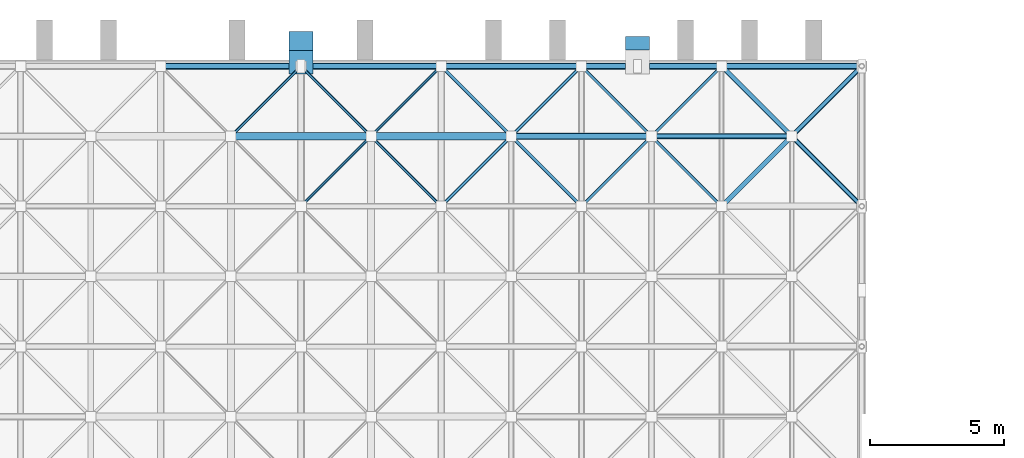
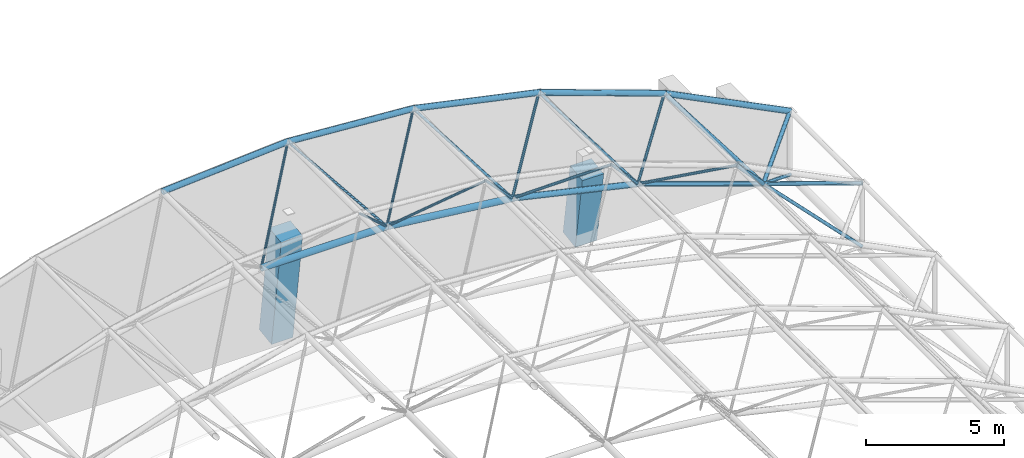
# One storey, part 29 of 100: 30 members.
"""IFC4 building model written with IfcOpenShell, lengths in metres."""

from ifc_helpers import new_model, si_unit, direction, frame, origin, origin_2d, place, context, subcontext, project, spatial, rectangle, hollow_circle, extrude, material, material_profile, profile_set, type_object, element, save


model = new_model("IFC4")

# Units and contexts
model_context = context("Model", 3, precision=1e-05, world=origin(), true_north=direction((0.0, 1.0)))
body_context = subcontext(model_context, "Body", "Model", "MODEL_VIEW")
ifc_project = project(units=[si_unit("LENGTHUNIT", "METRE"), si_unit("AREAUNIT", "SQUARE_METRE"), si_unit("VOLUMEUNIT", "CUBIC_METRE"), si_unit("PLANEANGLEUNIT", "RADIAN"), si_unit("MASSUNIT", "GRAM", prefix="KILO")], contexts=[model_context])

# Site, building, storey
site_placement = place(None, origin())
site = spatial("IfcSite", under=ifc_project, at=site_placement, CompositionType="ELEMENT")
building_placement = place(site_placement, origin())
building = spatial("IfcBuilding", under=site, at=building_placement, Name="Kiln Court Media Centre", CompositionType="ELEMENT")
storey_placement = place(building_placement, frame((0.0, 0.0, 15.0)))
storey = spatial("IfcBuildingStorey", under=building, at=storey_placement, Name="L03", CompositionType="ELEMENT", Elevation=15.0)

# Members
ifc_material_1 = material(Name="Concrete C40/50", Category="concrete")
ifc_material_profile_1 = material_profile(ifc_material_1, rectangle(XDim=0.89990234375, YDim=0.89990234375, at=origin_2d()), Name="RC 900x900")
ifc_profile_set_1 = profile_set([ifc_material_profile_1], Name="Concrete C40/50")
member_type_1 = type_object("IfcMemberType", Name="Concrete C40/50 raked column 900x900", PredefinedType="STRUT", material=ifc_profile_set_1)
member_1_placement = place(storey_placement, frame((79.800048828125, 68.049560546875, 0.0), z_axis=(0.0, -0.141867744513, 0.989885621204), x_axis=(1.0, 0.0, 0.0)))
element("IfcMember", 1, at=member_1_placement, inside=storey, type_object=member_type_1, Name="L03-M-1001", PredefinedType="STRUT", context=body_context, shape_type="SweptSolid", body=[
    extrude(rectangle(XDim=0.89990234375, YDim=0.89990234375, at=origin_2d()), origin(), (0.0, 0.0, 1.0), 4.976806640625),
])
member_2_placement = place(storey_placement, frame((92.39990234375, 67.86279296875, 0.0), z_axis=(0.0, -0.153990121436, 0.988072387277), x_axis=(1.0, 0.0, 0.0)))
element("IfcMember", 2, at=member_2_placement, inside=storey, type_object=member_type_1, Name="L03-M-1002", PredefinedType="STRUT", context=body_context, shape_type="SweptSolid", body=[
    extrude(rectangle(XDim=0.89990234375, YDim=0.89990234375, at=origin_2d()), origin(), (0.0, 0.0, 1.0), 3.29296875),
])
ifc_material_2 = material(Name="Steel ASTM A500 Gr C", Category="steel")
ifc_material_profile_2 = material_profile(ifc_material_2, hollow_circle(Radius=0.05078125, WallThickness=0.0048828125, at=origin_2d()), Name="CHS 101.6x5.0")
ifc_profile_set_2 = profile_set([ifc_material_profile_2], Name="Steel ASTM A500 Gr C")
member_type_2 = type_object("IfcMemberType", Name="Steel ASTM A500 Gr C CHS 101.6x5.0 space frame brace", PredefinedType="BRACE", material=ifc_profile_set_2)
for number, where, z_axis, x_axis, name in (
    (3, (77.175048828125, 64.574951171875, 5.926513671875), (0.544662450541, 0.544662450541, 0.637719083878), (-0.707106781187, 0.707106781187, 0.0), "V1 roof diagonal 4-8 space frame brace"),
    (4, (82.425048828125, 64.574951171875, 5.926513671875), (-0.544662450541, -0.544662450541, 0.637719083878), (0.707106781187, -0.707106781187, 0.0), "V1 roof diagonal 5-8 space frame brace"),
):
    element("IfcMember", number, at=place(storey_placement, frame(where, z_axis=z_axis, x_axis=x_axis)), inside=storey, type_object=member_type_2, Name=name, PredefinedType="BRACE", context=body_context, shape_type="SweptSolid", body=[
        extrude(hollow_circle(Radius=0.05078125, WallThickness=0.0048828125, at=origin_2d()), origin(), (0.0, 0.0, 1.0), 4.819580078125),
    ])
member_3_placement = place(storey_placement, frame((82.425048828125, 64.574951171875, 5.926513671875), z_axis=(0.571963592053, -0.571963592053, 0.587975593653), x_axis=(0.707106781187, 0.707106781187, 0.0)))
element("IfcMember", 5, at=member_3_placement, inside=storey, type_object=member_type_2, Name="V1 roof diagonal 5-8 space frame brace", PredefinedType="BRACE", context=body_context, shape_type="SweptSolid", body=[
    extrude(hollow_circle(Radius=0.05078125, WallThickness=0.0048828125, at=origin_2d()), origin(), (0.0, 0.0, 1.0), 4.58935546875),
])
member_4_placement = place(storey_placement, frame((82.425048828125, 64.574951171875, 5.926513671875), z_axis=(-0.544662450541, 0.544662450541, 0.637719083878), x_axis=(-0.707106781187, -0.707106781187, 0.0)))
element("IfcMember", 6, at=member_4_placement, inside=storey, type_object=member_type_2, Name="V1 roof diagonal 5-8 space frame brace", PredefinedType="BRACE", context=body_context, shape_type="SweptSolid", body=[
    extrude(hollow_circle(Radius=0.05078125, WallThickness=0.0048828125, at=origin_2d()), origin(), (0.0, 0.0, 1.0), 4.819580078125),
])
member_5_placement = place(storey_placement, frame((82.425048828125, 64.574951171875, 5.926513671875), z_axis=(0.571963592053, 0.571963592053, 0.587975593653), x_axis=(-0.707106781187, 0.707106781187, 0.0)))
element("IfcMember", 7, at=member_5_placement, inside=storey, type_object=member_type_2, Name="V1 roof diagonal 5-8 space frame brace", PredefinedType="BRACE", context=body_context, shape_type="SweptSolid", body=[
    extrude(hollow_circle(Radius=0.05078125, WallThickness=0.0048828125, at=origin_2d()), origin(), (0.0, 0.0, 1.0), 4.58935546875),
])
ifc_material_3 = material(Name="Steel ASTM A500 Gr C", Category="steel")
ifc_material_profile_3 = material_profile(ifc_material_3, hollow_circle(Radius=0.05712890625, WallThickness=0.0048828125, at=origin_2d()), Name="CHS 114.3x5.0")
ifc_profile_set_3 = profile_set([ifc_material_profile_3], Name="Steel ASTM A500 Gr C")
member_type_3 = type_object("IfcMemberType", Name="Steel ASTM A500 Gr C CHS 114.3x5.0 space frame brace", PredefinedType="BRACE", material=ifc_profile_set_3)
member_6_placement = place(storey_placement, frame((87.675048828125, 64.574951171875, 5.333984375), z_axis=(-0.529121679325, -0.529121679325, 0.663370557785), x_axis=(0.707106781187, -0.707106781187, 0.0)))
element("IfcMember", 8, at=member_6_placement, inside=storey, type_object=member_type_3, Name="V1 roof diagonal 6-8 space frame brace", PredefinedType="BRACE", context=body_context, shape_type="SweptSolid", body=[
    extrude(hollow_circle(Radius=0.05712890625, WallThickness=0.0048828125, at=origin_2d()), origin(), (0.0, 0.0, 1.0), 4.9609375),
])
member_7_placement = place(storey_placement, frame((87.675048828125, 64.574951171875, 5.333984375), z_axis=(0.61074803366, -0.61074803366, 0.503958012894), x_axis=(0.707106781187, 0.707106781187, 0.0)))
element("IfcMember", 9, at=member_7_placement, inside=storey, type_object=member_type_3, Name="V1 roof diagonal 6-8 space frame brace", PredefinedType="BRACE", context=body_context, shape_type="SweptSolid", body=[
    extrude(hollow_circle(Radius=0.05712890625, WallThickness=0.0048828125, at=origin_2d()), origin(), (0.0, 0.0, 1.0), 4.298095703125),
])
member_8_placement = place(storey_placement, frame((87.675048828125, 64.574951171875, 5.333984375), z_axis=(-0.529121679325, 0.529121679325, 0.663370557785), x_axis=(-0.707106781187, -0.707106781187, 0.0)))
element("IfcMember", 10, at=member_8_placement, inside=storey, type_object=member_type_3, Name="V1 roof diagonal 6-8 space frame brace", PredefinedType="BRACE", context=body_context, shape_type="SweptSolid", body=[
    extrude(hollow_circle(Radius=0.05712890625, WallThickness=0.0048828125, at=origin_2d()), origin(), (0.0, 0.0, 1.0), 4.9609375),
])
member_9_placement = place(storey_placement, frame((87.675048828125, 64.574951171875, 5.333984375), z_axis=(0.61074803366, 0.61074803366, 0.503958012894), x_axis=(-0.707106781187, 0.707106781187, 0.0)))
element("IfcMember", 11, at=member_9_placement, inside=storey, type_object=member_type_3, Name="V1 roof diagonal 6-8 space frame brace", PredefinedType="BRACE", context=body_context, shape_type="SweptSolid", body=[
    extrude(hollow_circle(Radius=0.05712890625, WallThickness=0.0048828125, at=origin_2d()), origin(), (0.0, 0.0, 1.0), 4.298095703125),
])
member_10_placement = place(storey_placement, frame((92.925048828125, 64.574951171875, 4.133544921875), z_axis=(-0.523804264708, -0.523804264708, 0.671757534046), x_axis=(0.707106781187, -0.707106781187, 0.0)))
element("IfcMember", 12, at=member_10_placement, inside=storey, type_object=member_type_3, Name="V1 roof diagonal 7-8 space frame brace", PredefinedType="BRACE", context=body_context, shape_type="SweptSolid", body=[
    extrude(hollow_circle(Radius=0.05712890625, WallThickness=0.0048828125, at=origin_2d()), origin(), (0.0, 0.0, 1.0), 5.011474609375),
])
member_11_placement = place(storey_placement, frame((92.925048828125, 64.574951171875, 4.133544921875), z_axis=(0.656133377529, -0.656133377529, 0.37279750775), x_axis=(0.707106781187, 0.707106781187, 0.0)))
element("IfcMember", 13, at=member_11_placement, inside=storey, type_object=member_type_3, Name="V1 roof diagonal 7-8 space frame brace", PredefinedType="BRACE", context=body_context, shape_type="SweptSolid", body=[
    extrude(hollow_circle(Radius=0.05712890625, WallThickness=0.0048828125, at=origin_2d()), origin(), (0.0, 0.0, 1.0), 4.000732421875),
])
member_12_placement = place(storey_placement, frame((92.925048828125, 64.574951171875, 4.133544921875), z_axis=(-0.523804264708, 0.523804264708, 0.671757534046), x_axis=(-0.707106781187, -0.707106781187, 0.0)))
element("IfcMember", 14, at=member_12_placement, inside=storey, type_object=member_type_3, Name="V1 roof diagonal 7-8 space frame brace", PredefinedType="BRACE", context=body_context, shape_type="SweptSolid", body=[
    extrude(hollow_circle(Radius=0.05712890625, WallThickness=0.0048828125, at=origin_2d()), origin(), (0.0, 0.0, 1.0), 5.011474609375),
])
member_13_placement = place(storey_placement, frame((92.925048828125, 64.574951171875, 4.133544921875), z_axis=(0.656133377529, 0.656133377529, 0.37279750775), x_axis=(-0.707106781187, 0.707106781187, 0.0)))
element("IfcMember", 15, at=member_13_placement, inside=storey, type_object=member_type_3, Name="V1 roof diagonal 7-8 space frame brace", PredefinedType="BRACE", context=body_context, shape_type="SweptSolid", body=[
    extrude(hollow_circle(Radius=0.05712890625, WallThickness=0.0048828125, at=origin_2d()), origin(), (0.0, 0.0, 1.0), 4.000732421875),
])
ifc_material_4 = material(Name="Steel ASTM A500 Gr C", Category="steel")
ifc_material_profile_4 = material_profile(ifc_material_4, hollow_circle(Radius=0.06982421875, WallThickness=0.0048828125, at=origin_2d()), Name="CHS 139.7x5.0")
ifc_profile_set_4 = profile_set([ifc_material_profile_4], Name="Steel ASTM A500 Gr C")
member_type_4 = type_object("IfcMemberType", Name="Steel ASTM A500 Gr C CHS 139.7x5.0 space frame brace", PredefinedType="BRACE", material=ifc_profile_set_4)
for number, where, z_axis, x_axis, name in (
    (16, (100.800048828125, 61.949951171875, 0.18994140625), (-0.614895163376, 0.614895163376, 0.493769051394), (-0.707106781187, -0.707106781187, 0.0), "V1 roof bearing tie last 8 space frame brace"),
    (17, (100.800048828125, 67.199951171875, 0.18994140625), (-0.614895163376, -0.614895163376, 0.493769051394), (0.707106781187, -0.707106781187, 0.0), "V1 roof bearing tie last 9 space frame brace"),
):
    element("IfcMember", number, at=place(storey_placement, frame(where, z_axis=z_axis, x_axis=x_axis)), inside=storey, type_object=member_type_4, Name=name, PredefinedType="BRACE", context=body_context, shape_type="SweptSolid", body=[
        extrude(hollow_circle(Radius=0.06982421875, WallThickness=0.0048828125, at=origin_2d()), origin(), (0.0, 0.0, 1.0), 4.26904296875),
    ])
ifc_material_5 = material(Name="Steel ASTM A500 Gr C", Category="steel")
ifc_material_profile_5 = material_profile(ifc_material_5, hollow_circle(Radius=0.084228515625, WallThickness=0.00634765625, at=origin_2d()), Name="CHS 168.3x6.3")
ifc_profile_set_5 = profile_set([ifc_material_profile_5], Name="Steel ASTM A500 Gr C")
member_type_5 = type_object("IfcMemberType", Name="Steel ASTM A500 Gr C CHS 168.3x6.3 space frame brace", PredefinedType="BRACE", material=ifc_profile_set_5)
member_14_placement = place(storey_placement, frame((98.175048828125, 64.574951171875, 2.2978515625), z_axis=(-0.526569761857, -0.526569761857, 0.667419337295), x_axis=(0.707106781187, -0.707106781187, 0.0)))
element("IfcMember", 18, at=member_14_placement, inside=storey, type_object=member_type_5, Name="V1 roof diagonal 8-8 space frame brace", PredefinedType="BRACE", context=body_context, shape_type="SweptSolid", body=[
    extrude(hollow_circle(Radius=0.084228515625, WallThickness=0.00634765625, at=origin_2d()), origin(), (0.0, 0.0, 1.0), 4.985107421875),
])
member_15_placement = place(storey_placement, frame((98.175048828125, 64.574951171875, 2.2978515625), z_axis=(0.694788256549, -0.694788256549, 0.185845519516), x_axis=(0.707106781187, 0.707106781187, 0.0)))
element("IfcMember", 19, at=member_15_placement, inside=storey, type_object=member_type_5, Name="V1 roof diagonal 8-8 space frame brace", PredefinedType="BRACE", context=body_context, shape_type="SweptSolid", body=[
    extrude(hollow_circle(Radius=0.084228515625, WallThickness=0.00634765625, at=origin_2d()), origin(), (0.0, 0.0, 1.0), 3.778076171875),
])
member_16_placement = place(storey_placement, frame((98.175048828125, 64.574951171875, 2.2978515625), z_axis=(-0.526569761857, 0.526569761857, 0.667419337295), x_axis=(-0.707106781187, -0.707106781187, 0.0)))
element("IfcMember", 20, at=member_16_placement, inside=storey, type_object=member_type_5, Name="V1 roof diagonal 8-8 space frame brace", PredefinedType="BRACE", context=body_context, shape_type="SweptSolid", body=[
    extrude(hollow_circle(Radius=0.084228515625, WallThickness=0.00634765625, at=origin_2d()), origin(), (0.0, 0.0, 1.0), 4.985107421875),
])
member_17_placement = place(storey_placement, frame((98.175048828125, 64.574951171875, 2.2978515625), z_axis=(0.694788256549, 0.694788256549, 0.185845519516), x_axis=(-0.707106781187, 0.707106781187, 0.0)))
element("IfcMember", 21, at=member_17_placement, inside=storey, type_object=member_type_5, Name="V1 roof diagonal 8-8 space frame brace", PredefinedType="BRACE", context=body_context, shape_type="SweptSolid", body=[
    extrude(hollow_circle(Radius=0.084228515625, WallThickness=0.00634765625, at=origin_2d()), origin(), (0.0, 0.0, 1.0), 3.778076171875),
])
ifc_material_6 = material(Name="Steel ASTM A500 Gr C", Category="steel")
ifc_material_profile_6 = material_profile(ifc_material_6, hollow_circle(Radius=0.096923828125, WallThickness=0.008056640625, at=origin_2d()), Name="CHS 193.7x8.0")
ifc_profile_set_6 = profile_set([ifc_material_profile_6], Name="Steel ASTM A500 Gr C")
member_type_6 = type_object("IfcMemberType", Name="Steel ASTM A500 Gr C CHS 193.7x8.0 space frame chord", PredefinedType="CHORD", material=ifc_profile_set_6)
member_18_placement = place(storey_placement, frame((92.925048828125, 64.574951171875, 4.133544921875), z_axis=(0.943959597571, 0.0, -0.330061021863), x_axis=(0.0, 1.0, 0.0)))
element("IfcMember", 22, at=member_18_placement, inside=storey, type_object=member_type_6, Name="V1 roof bottom chord across line 8 space frame chord", PredefinedType="CHORD", context=body_context, shape_type="SweptSolid", body=[
    extrude(hollow_circle(Radius=0.096923828125, WallThickness=0.008056640625, at=origin_2d()), origin(), (0.0, 0.0, 1.0), 5.561767578125),
])
ifc_material_7 = material(Name="Steel ASTM A500 Gr C", Category="steel")
ifc_material_profile_7 = material_profile(ifc_material_7, hollow_circle(Radius=0.122314453125, WallThickness=0.010009765625, at=origin_2d()), Name="CHS 244.5x10.0")
ifc_profile_set_7 = profile_set([ifc_material_profile_7], Name="Steel ASTM A500 Gr C")
member_type_7 = type_object("IfcMemberType", Name="Steel ASTM A500 Gr C CHS 244.5x10.0 space frame chord", PredefinedType="CHORD", material=ifc_profile_set_7)
for number, where, z_axis, x_axis, name in (
    (23, (74.550048828125, 67.199951171875, 8.625), (0.997458699831, 0.0, 0.071247049988), (0.0, 1.0, 0.0), "V1 roof top chord across line 9 space frame chord"),
    (24, (79.800048828125, 67.199951171875, 9.0), (0.997458699831, 0.0, -0.071247049988), (0.0, 1.0, 0.0), "V1 roof top chord across line 9 space frame chord"),
):
    element("IfcMember", number, at=place(storey_placement, frame(where, z_axis=z_axis, x_axis=x_axis)), inside=storey, type_object=member_type_7, Name=name, PredefinedType="CHORD", context=body_context, shape_type="SweptSolid", body=[
        extrude(hollow_circle(Radius=0.122314453125, WallThickness=0.010009765625, at=origin_2d()), origin(), (0.0, 0.0, 1.0), 5.263427734375),
    ])
member_19_placement = place(storey_placement, frame((85.050048828125, 67.199951171875, 8.625), z_axis=(0.977802414077, 0.0, -0.209529088731), x_axis=(0.0, 1.0, 0.0)))
element("IfcMember", 25, at=member_19_placement, inside=storey, type_object=member_type_7, Name="V1 roof top chord across line 9 space frame chord", PredefinedType="CHORD", context=body_context, shape_type="SweptSolid", body=[
    extrude(hollow_circle(Radius=0.122314453125, WallThickness=0.010009765625, at=origin_2d()), origin(), (0.0, 0.0, 1.0), 5.369140625),
])
member_20_placement = place(storey_placement, frame((90.300048828125, 67.199951171875, 7.5), z_axis=(0.941741911595, 0.0, -0.336336396998), x_axis=(0.0, 1.0, 0.0)))
element("IfcMember", 26, at=member_20_placement, inside=storey, type_object=member_type_7, Name="V1 roof top chord across line 9 space frame chord", PredefinedType="CHORD", context=body_context, shape_type="SweptSolid", body=[
    extrude(hollow_circle(Radius=0.122314453125, WallThickness=0.010009765625, at=origin_2d()), origin(), (0.0, 0.0, 1.0), 5.57470703125),
])
member_21_placement = place(storey_placement, frame((95.550048828125, 67.199951171875, 5.625), z_axis=(0.894427191, 0.0, -0.4472135955), x_axis=(0.0, 1.0, 0.0)))
element("IfcMember", 27, at=member_21_placement, inside=storey, type_object=member_type_7, Name="V1 roof top chord across line 9 space frame chord", PredefinedType="CHORD", context=body_context, shape_type="SweptSolid", body=[
    extrude(hollow_circle(Radius=0.122314453125, WallThickness=0.010009765625, at=origin_2d()), origin(), (0.0, 0.0, 1.0), 5.86962890625),
])
member_22_placement = place(storey_placement, frame((87.675048828125, 64.574951171875, 5.333984375), z_axis=(0.97484077825, 0.0, -0.22290234871), x_axis=(0.0, 1.0, 0.0)))
element("IfcMember", 28, at=member_22_placement, inside=storey, type_object=member_type_7, Name="V1 roof bottom chord across line 8 space frame chord", PredefinedType="CHORD", context=body_context, shape_type="SweptSolid", body=[
    extrude(hollow_circle(Radius=0.122314453125, WallThickness=0.010009765625, at=origin_2d()), origin(), (0.0, 0.0, 1.0), 5.385498046875),
])
ifc_material_8 = material(Name="Steel ASTM A500 Gr C", Category="steel")
ifc_material_profile_8 = material_profile(ifc_material_8, hollow_circle(Radius=0.136474609375, WallThickness=0.010009765625, at=origin_2d()), Name="CHS 273.0x10.0")
ifc_profile_set_8 = profile_set([ifc_material_profile_8], Name="Steel ASTM A500 Gr C")
member_type_8 = type_object("IfcMemberType", Name="Steel ASTM A500 Gr C CHS 273.0x10.0 space frame chord", PredefinedType="CHORD", material=ifc_profile_set_8)
member_23_placement = place(storey_placement, frame((77.175048828125, 64.574951171875, 5.926513671875), z_axis=(1.0, 0.0, 0.0), x_axis=(0.0, 1.0, 0.0)))
element("IfcMember", 29, at=member_23_placement, inside=storey, type_object=member_type_8, Name="V1 roof bottom chord across line 8 space frame chord", PredefinedType="CHORD", context=body_context, shape_type="SweptSolid", body=[
    extrude(hollow_circle(Radius=0.136474609375, WallThickness=0.010009765625, at=origin_2d()), origin(), (0.0, 0.0, 1.0), 5.25),
])
member_24_placement = place(storey_placement, frame((82.425048828125, 64.574951171875, 5.926513671875), z_axis=(0.993691210277, 0.0, -0.112150696026), x_axis=(0.0, 1.0, 0.0)))
element("IfcMember", 30, at=member_24_placement, inside=storey, type_object=member_type_8, Name="V1 roof bottom chord across line 8 space frame chord", PredefinedType="CHORD", context=body_context, shape_type="SweptSolid", body=[
    extrude(hollow_circle(Radius=0.136474609375, WallThickness=0.010009765625, at=origin_2d()), origin(), (0.0, 0.0, 1.0), 5.283447265625),
])

save(model, "model.ifc")
